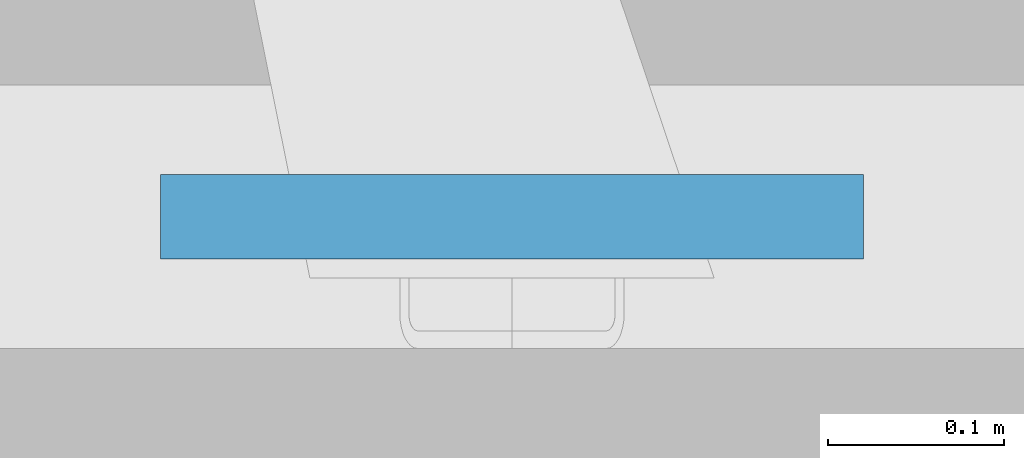
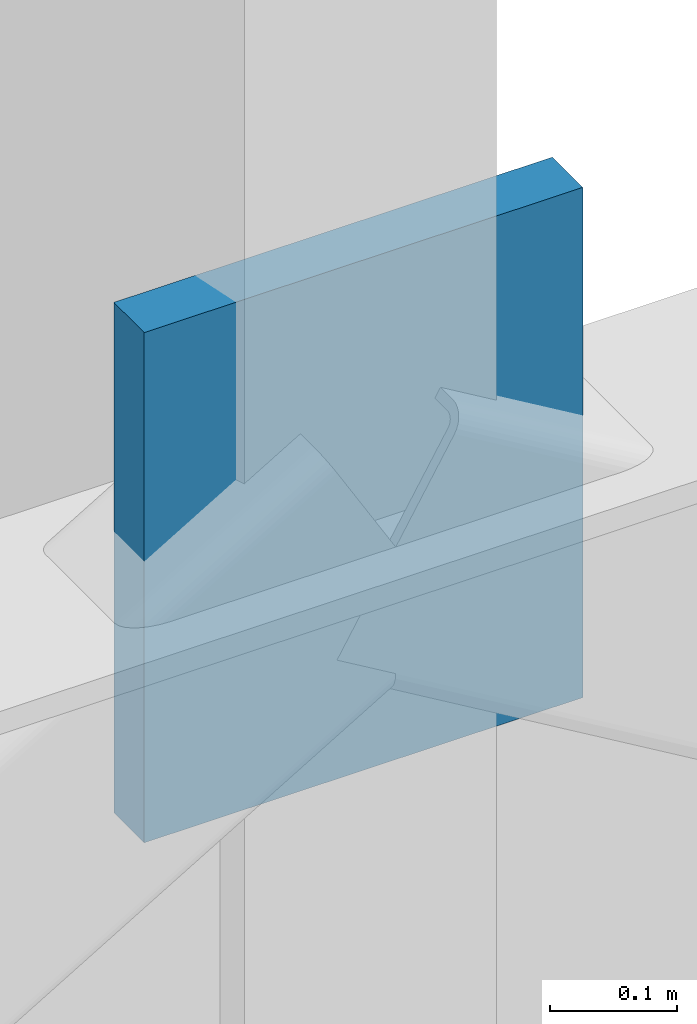
# One storey, part 63 of 86: 1 plate.
"""IFC4 building model written with IfcOpenShell, lengths in metres."""

import ifcopenshell
import ifcopenshell.guid

model = None  # the IFC model being written
_history = None  # IfcOwnerHistory: only IFC2X3 demands one
_inside = {}  # id of a spatial element -> (the spatial element, [elements in it])
_under = {}  # id of a project, library or spatial element -> (it, [spatial elements below it])
_declared = {}  # id of a project -> (the project, [libraries it declares])
_typed = {}  # id of a type object -> (the type object, [elements of that type])
_made_of = {}  # id of a material, layer set ... -> (it, [elements and type objects made of it])


def new_model(schema):
    """Start an empty IFC model of exactly this schema.

    Asked for "IFC4X3", IfcOpenShell would pick the latest addendum, in which some entities
    have other attributes; the version numbers below select the first issue.
    IFC2X3 requires an IfcOwnerHistory on every rooted entity: one is made here for all.
    """
    global model, _history
    if schema == "IFC4X3":
        model = ifcopenshell.file(schema_version=(4, 3, 0, 0))
    else:
        model = ifcopenshell.file(schema=schema)
    _inside.clear()
    _under.clear()
    _declared.clear()
    _typed.clear()
    _made_of.clear()
    _history = None
    if model.schema == "IFC2X3":
        org = make("IfcOrganization", Name="unknown")
        user = make(
            "IfcPersonAndOrganization",
            ThePerson=make("IfcPerson", FamilyName="unknown"),
            TheOrganization=org,
        )
        app = make(
            "IfcApplication",
            ApplicationDeveloper=org,
            Version="unknown",
            ApplicationFullName="unknown",
            ApplicationIdentifier="unknown",
        )
        _history = make(
            "IfcOwnerHistory",
            OwningUser=user,
            OwningApplication=app,
            ChangeAction="ADDED",
            CreationDate=0,
        )
    return model


def make(cls, **values):
    """One entity of the class cls with the attributes given. An attribute that is None is left unset."""
    return model.create_entity(
        cls, **{name: value for name, value in values.items() if value is not None}
    )


def rooted(cls, **values):
    """An entity with a GlobalId (a new one), such as an element, a storey or a relation."""
    return make(cls, GlobalId=ifcopenshell.guid.new(), OwnerHistory=_history, **values)


def si_unit(unit_type, name, prefix=None):
    """IfcSIUnit, for example si_unit("LENGTHUNIT", "METRE", prefix="MILLI")."""
    return make("IfcSIUnit", UnitType=unit_type, Prefix=prefix, Name=name)


def assignment(units):
    """IfcUnitAssignment: the units of a project."""
    return None if units is None else make("IfcUnitAssignment", Units=units)


def point(xyz):
    """IfcCartesianPoint."""
    return None if xyz is None else make("IfcCartesianPoint", Coordinates=xyz)


def direction(xyz):
    """IfcDirection."""
    return None if xyz is None else make("IfcDirection", DirectionRatios=xyz)


def frame(location, z_axis=None, x_axis=None):
    """IfcAxis2Placement3D, a coordinate frame: its origin and axes. An axis left out is left unset."""
    return make(
        "IfcAxis2Placement3D",
        Location=point(location),
        Axis=direction(z_axis),
        RefDirection=direction(x_axis),
    )


def frame_2d(location, x_axis=None):
    """IfcAxis2Placement2D, a coordinate frame in the plane: its origin and x axis."""
    return make(
        "IfcAxis2Placement2D", Location=point(location), RefDirection=direction(x_axis)
    )


def origin():
    """The frame at (0, 0, 0) with its axes left unset."""
    return frame((0.0, 0.0, 0.0))


def origin_2d():
    """The frame at (0, 0) in the plane with its x axis left unset."""
    return frame_2d((0.0, 0.0))


def place(relative_to, where):
    """IfcLocalPlacement: puts the frame where relative to a parent placement (None: the world)."""
    return make(
        "IfcLocalPlacement", PlacementRelTo=relative_to, RelativePlacement=where
    )


def context(
    kind, dimensions, precision=None, world=None, true_north=None, identifier=None
):
    """IfcGeometricRepresentationContext, for example the 3D "Model" context."""
    return make(
        "IfcGeometricRepresentationContext",
        ContextIdentifier=identifier,
        ContextType=kind,
        CoordinateSpaceDimension=dimensions,
        Precision=precision,
        WorldCoordinateSystem=world,
        TrueNorth=true_north,
    )


def subcontext(parent, identifier, kind, view, scale=None):
    """IfcGeometricRepresentationSubContext, for example "Body" below "Model"."""
    return make(
        "IfcGeometricRepresentationSubContext",
        ContextIdentifier=identifier,
        ContextType=kind,
        ParentContext=parent,
        TargetScale=scale,
        TargetView=view,
    )


def project(units=None, contexts=None):
    """IfcProject with its units and contexts."""
    return rooted(
        "IfcProject",
        Name="project",
        RepresentationContexts=contexts,
        UnitsInContext=assignment(units),
    )


def spatial(cls, under=None, at=None, **own):
    """A site, building, storey or space (cls), placed at a placement, below another one or the project."""
    s = rooted(cls, ObjectPlacement=at, **own)
    if under is not None:
        _under.setdefault(under.id(), (under, []))[1].append(s)
    return s


def profile(cls, at=None, kind="AREA", **sizes):
    """A parametric profile (cls). Its sizes go by their IFC names, for example OverallWidth=200.0."""
    return make(cls, ProfileType=kind, Position=at, **sizes)


def rectangle(**sizes):
    """IfcRectangleProfileDef."""
    return profile("IfcRectangleProfileDef", **sizes)


def extrude(swept, where, along, depth):
    """IfcExtrudedAreaSolid: the profile swept, set in the frame where, extruded along a direction by depth."""
    return make(
        "IfcExtrudedAreaSolid",
        SweptArea=swept,
        Position=where,
        ExtrudedDirection=direction(along),
        Depth=depth,
    )


def shape(context_of_items, identifier, shape_type, items):
    """IfcShapeRepresentation: the items that make up one representation, for example the "Body"."""
    return make(
        "IfcShapeRepresentation",
        ContextOfItems=context_of_items,
        RepresentationIdentifier=identifier,
        RepresentationType=shape_type,
        Items=items,
    )


def material(Name=None, Category=None):
    """IfcMaterial."""
    return make("IfcMaterial", Name=Name, Category=Category)


def layer(
    of_material, thickness, ventilated=None, Name=None, Category=None, Priority=None
):
    """IfcMaterialLayer: one layer of a wall or slab, of a material (None: an air gap)."""
    return make(
        "IfcMaterialLayer",
        Material=of_material,
        LayerThickness=thickness,
        IsVentilated=ventilated,
        Name=Name,
        Category=Category,
        Priority=Priority,
    )


def layer_set(layers, Name=None):
    """IfcMaterialLayerSet."""
    return make("IfcMaterialLayerSet", MaterialLayers=layers, LayerSetName=Name)


def made_of(thing, what):
    """Note that an element or type object is made of a material, layer set ...; save() writes the relation."""
    if what is not None:
        _made_of.setdefault(what.id(), (what, []))[1].append(thing)
    return thing


def type_object(cls, material=None, **own):
    """A type object (cls), such as IfcWallType, which elements share."""
    return made_of(rooted(cls, **own), material)


def element(
    cls,
    number,
    at=None,
    inside=None,
    cuts=None,
    type_object=None,
    material=None,
    context=None,
    identifier="Body",
    shape_type=None,
    held_by="IfcProductDefinitionShape",
    body=None,
    shapes=None,
    **own,
):
    """One element of the class cls, such as IfcWall. Its Tag is "e" and its number.

    at: its placement. inside: the storey or other place that contains it. cuts: it is an
    opening in that element (IfcRelVoidsElement). A single representation is given by context,
    identifier, shape_type and body (its items); several are given by shapes. held_by: the class
    of the entity that holds the representations. save() writes the other relations.
    """
    e = rooted(cls, Tag="e%d" % number, ObjectPlacement=at, **own)
    if body is not None:
        shapes = [shape(context, identifier, shape_type, body)]
    if shapes is not None:
        e.Representation = make(held_by, Representations=shapes)
    if inside is not None:
        _inside.setdefault(inside.id(), (inside, []))[1].append(e)
    if cuts is not None:
        rooted(
            "IfcRelVoidsElement", RelatingBuildingElement=cuts, RelatedOpeningElement=e
        )
    if type_object is not None:
        _typed.setdefault(type_object.id(), (type_object, []))[1].append(e)
    return made_of(e, material)


def aggregate(whole, parts):
    """IfcRelAggregates: a whole, such as a stair, and the parts it consists of."""
    return rooted("IfcRelAggregates", RelatingObject=whole, RelatedObjects=parts)


def save(model, path):
    """Write the relations noted so far, then the file.

    IfcRelAggregates (storeys below a building ...), IfcRelContainedInSpatialStructure (elements
    in a storey), IfcRelDefinesByType, IfcRelAssociatesMaterial and IfcRelDeclares: one each for
    every whole, place, type object, material and project.
    """
    for whole, parts in _under.values():
        aggregate(whole, parts)
    for where, things in _inside.values():
        rooted(
            "IfcRelContainedInSpatialStructure",
            RelatedElements=things,
            RelatingStructure=where,
        )
    for kind, things in _typed.values():
        rooted("IfcRelDefinesByType", RelatedObjects=things, RelatingType=kind)
    for what, things in _made_of.values():
        rooted("IfcRelAssociatesMaterial", RelatedObjects=things, RelatingMaterial=what)
    for by, libraries in _declared.values():
        rooted("IfcRelDeclares", RelatingContext=by, RelatedDefinitions=libraries)
    model.write(path)


model = new_model("IFC4")

# Units and contexts
model_context = context("Model", 3, precision=1e-05, world=origin(), true_north=direction((0.0, 1.0)))
body_context = subcontext(model_context, "Body", "Model", "MODEL_VIEW")
ifc_project = project(units=[si_unit("LENGTHUNIT", "METRE"), si_unit("AREAUNIT", "SQUARE_METRE"), si_unit("VOLUMEUNIT", "CUBIC_METRE"), si_unit("PLANEANGLEUNIT", "RADIAN"), si_unit("MASSUNIT", "GRAM", prefix="KILO")], contexts=[model_context])

# Site, building, storey
site_placement = place(None, origin())
site = spatial("IfcSite", under=ifc_project, at=site_placement, CompositionType="ELEMENT")
building_placement = place(site_placement, origin())
building = spatial("IfcBuilding", under=site, at=building_placement, Name="Kolvemor Railside Polytechnic", CompositionType="ELEMENT")
storey_placement = place(building_placement, frame((0.0, 0.0, 5.39990234375)))
storey = spatial("IfcBuildingStorey", under=building, at=storey_placement, Name="L01", CompositionType="ELEMENT", Elevation=5.39990234375)

# Plate
ifc_material = material(Name="Steel S355", Category="steel")
ifc_layer = layer(ifc_material, 0.048095703125, Name="PLT-GUSSET-4")
ifc_layer_set = layer_set([ifc_layer], Name="Steel S355")
plate_type = type_object("IfcPlateType", Name="PLT-GUSSET-4", PredefinedType="USERDEFINED", material=ifc_layer_set)
plate_placement = place(storey_placement, frame((148.800048828125, 120.0, 2.75390625), z_axis=(0.0, 0.0, 1.0), x_axis=(1.0, 0.0, 0.0)))
element("IfcPlate", 1, at=plate_placement, inside=storey, type_object=plate_type, Name="Brace Chevron Gusset Plate GP-BR04", ObjectType="GUSSET PLATE", PredefinedType="USERDEFINED", context=body_context, shape_type="SweptSolid", body=[
    extrude(rectangle(XDim=0.39990234375, YDim=0.048095703125, at=origin_2d()), origin(), (0.0, 0.0, 1.0), 0.491943359375),
])

save(model, "model.ifc")
